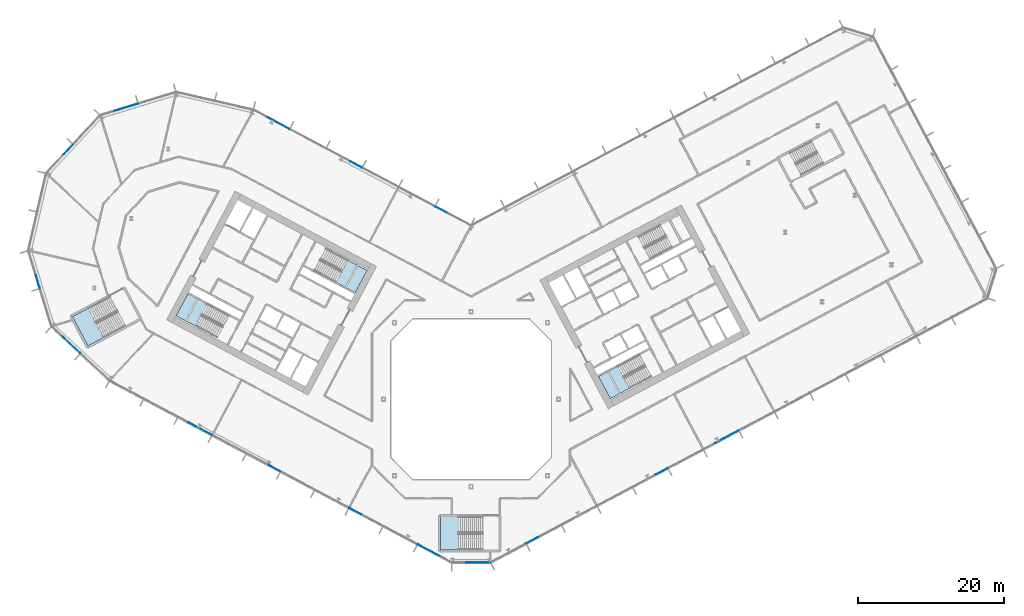
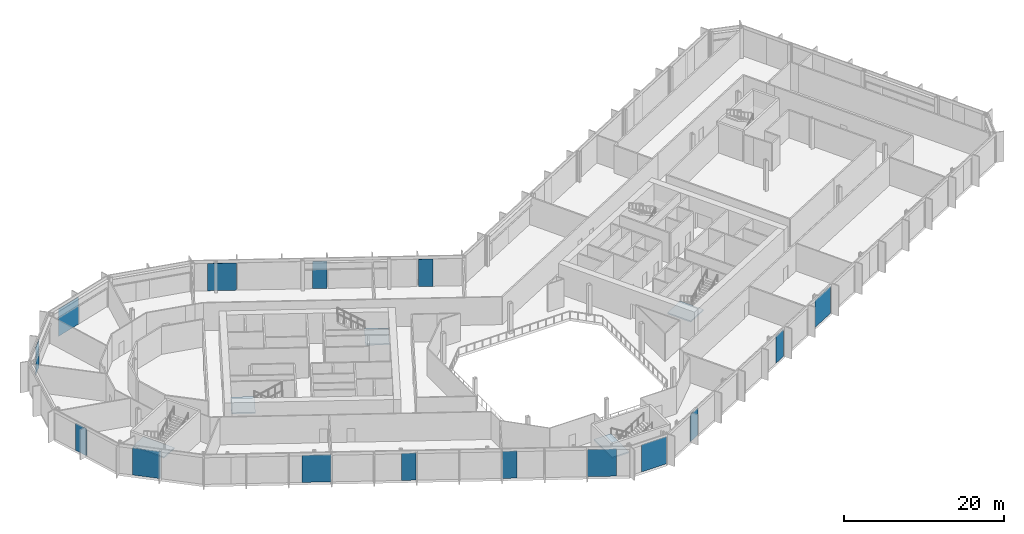
# One storey, part 10 of 30: 15 plates, 5 slabs, 13 elements without a shape of their own.
"""IFC4 building model written with IfcOpenShell, lengths in metres."""

from ifc_helpers import new_model, si_unit, direction, frame, origin, origin_2d, place, context, subcontext, project, spatial, polyline, rectangle, outline, extrude, material, layer, layer_set, type_object, element, aggregate, save


model = new_model("IFC4")

# Units and contexts
model_context = context("Model", 3, precision=1e-05, world=origin(), true_north=direction((0.0, 1.0)))
body_context = subcontext(model_context, "Body", "Model", "MODEL_VIEW")
ifc_project = project(units=[si_unit("LENGTHUNIT", "METRE"), si_unit("AREAUNIT", "SQUARE_METRE"), si_unit("VOLUMEUNIT", "CUBIC_METRE"), si_unit("PLANEANGLEUNIT", "RADIAN"), si_unit("MASSUNIT", "GRAM", prefix="KILO")], contexts=[model_context])

# Site, building, storey
site_placement = place(None, origin())
site = spatial("IfcSite", under=ifc_project, at=site_placement, CompositionType="ELEMENT")
building_placement = place(site_placement, origin())
building = spatial("IfcBuilding", under=site, at=building_placement, Name="Cormorant Relay Tower", CompositionType="ELEMENT")
storey_placement = place(building_placement, frame((0.0, 0.0, 89.199951171875)))
storey = spatial("IfcBuildingStorey", under=building, at=storey_placement, Name="L17", CompositionType="ELEMENT", Elevation=89.199951171875)

# Curtain wall, plates
ifc_material_1 = material(Name="Aluminium 6063-T6 anodised bronze", Category="aluminium")
ifc_layer_1 = layer(ifc_material_1, 0.199951171875)
ifc_layer_set_1 = layer_set([ifc_layer_1], Name="CW1 unitised bronze curtain wall with vertical fins")
curtain_wall_type = type_object("IfcCurtainWallType", Name="CW1 unitised bronze curtain wall with vertical fins", PredefinedType="NOTDEFINED", material=ifc_layer_set_1)
curtain_wall_1_placement = place(storey_placement, origin())
curtain_wall_1 = element("IfcCurtainWall", 1, at=curtain_wall_1_placement, inside=storey, type_object=curtain_wall_type, Name="CW1 curtain wall 2", PredefinedType="NOTDEFINED")
ifc_material_2 = material(Name="Tinted laminated glass", Category="glass")
ifc_layer_2 = layer(ifc_material_2, 0.0400390625)
ifc_layer_set_2 = layer_set([ifc_layer_2], Name="CW1 tinted vision panel 1800 module")
plate_type_1 = type_object("IfcPlateType", Name="CW1 tinted vision panel 1800 module", PredefinedType="CURTAIN_PANEL", material=ifc_layer_set_2)
plate_1_placement = place(storey_placement, frame((8.3857421875, -19.347900390625, 0.0), z_axis=(0.0, 0.0, 1.0), x_axis=(0.882947592859, 0.469471562786, 0.0)))
plate_1 = element("IfcPlate", 2, at=plate_1_placement, type_object=plate_type_1, Name="CW1 panel V01", PredefinedType="CURTAIN_PANEL", context=body_context, shape_type="SweptSolid", body=[
    extrude(rectangle(XDim=1.800048828125, YDim=0.0400390625, at=origin_2d()), origin(), (0.0, 0.0, 1.0), 4.14990234375),
])
plate_2_placement = place(storey_placement, frame((26.130615234375, -9.91259765625, 0.0), z_axis=(0.0, 0.0, 1.0), x_axis=(0.882947592859, 0.469471562786, 0.0)))
plate_2 = element("IfcPlate", 3, at=plate_2_placement, type_object=plate_type_1, Name="CW1 panel V04", PredefinedType="CURTAIN_PANEL", context=body_context, shape_type="SweptSolid", body=[
    extrude(rectangle(XDim=1.800048828125, YDim=0.0400390625, at=origin_2d()), origin(), (0.0, 0.0, 1.0), 4.14990234375),
])

curtain_wall_2_placement = place(storey_placement, origin())
curtain_wall_2 = element("IfcCurtainWall", 4, at=curtain_wall_2_placement, inside=storey, type_object=curtain_wall_type, Name="CW1 curtain wall 7", PredefinedType="NOTDEFINED")
plate_3_placement = place(storey_placement, frame((-4.108642578125, 25.9912109375, 0.0), z_axis=(0.0, 0.0, 1.0), x_axis=(-0.882947592859, 0.469471562786, 0.0)))
plate_3 = element("IfcPlate", 5, at=plate_3_placement, type_object=plate_type_1, Name="CW1 panel V01", PredefinedType="CURTAIN_PANEL", context=body_context, shape_type="SweptSolid", body=[
    extrude(rectangle(XDim=1.800048828125, YDim=0.0400390625, at=origin_2d()), origin(), (0.0, 0.0, 1.0), 4.14990234375),
])
plate_4_placement = place(storey_placement, frame((-15.788330078125, 32.201416015625, 0.0), z_axis=(0.0, 0.0, 1.0), x_axis=(-0.882947592859, 0.469471562786, 0.0)))
plate_4 = element("IfcPlate", 6, at=plate_4_placement, type_object=plate_type_1, Name="CW1 panel V04", PredefinedType="CURTAIN_PANEL", context=body_context, shape_type="SweptSolid", body=[
    extrude(rectangle(XDim=1.800048828125, YDim=0.0400390625, at=origin_2d()), origin(), (0.0, 0.0, 1.0), 4.14990234375),
])

# Curtain wall, plate
curtain_wall_3_placement = place(storey_placement, origin())
curtain_wall_3 = element("IfcCurtainWall", 7, at=curtain_wall_3_placement, inside=storey, type_object=curtain_wall_type, Name="CW1 curtain wall 10", PredefinedType="NOTDEFINED")
plate_5_placement = place(storey_placement, frame((-55.247314453125, 34.2607421875, 0.0), z_axis=(0.0, 0.0, 1.0), x_axis=(-0.681998360062, -0.731353701619, 0.0)))
plate_5 = element("IfcPlate", 8, at=plate_5_placement, type_object=plate_type_1, Name="CW1 panel V01", PredefinedType="CURTAIN_PANEL", context=body_context, shape_type="SweptSolid", body=[
    extrude(rectangle(XDim=1.800048828125, YDim=0.0400390625, at=origin_2d()), origin(), (0.0, 0.0, 1.0), 4.14990234375),
])
aggregate(curtain_wall_3, [plate_5])

curtain_wall_4_placement = place(storey_placement, origin())
curtain_wall_4 = element("IfcCurtainWall", 9, at=curtain_wall_4_placement, inside=storey, type_object=curtain_wall_type, Name="CW1 curtain wall 12", PredefinedType="NOTDEFINED")
plate_6_placement = place(storey_placement, frame((-59.434814453125, 16.122314453125, 0.0), z_axis=(0.0, 0.0, 1.0), x_axis=(0.292371704723, -0.956304755963, 0.0)))
plate_6 = element("IfcPlate", 10, at=plate_6_placement, type_object=plate_type_1, Name="CW1 panel V01", PredefinedType="CURTAIN_PANEL", context=body_context, shape_type="SweptSolid", body=[
    extrude(rectangle(XDim=1.800048828125, YDim=0.0400390625, at=origin_2d()), origin(), (0.0, 0.0, 1.0), 4.14990234375),
])
aggregate(curtain_wall_4, [plate_6])

# Curtain wall, plates
curtain_wall_5_placement = place(storey_placement, origin())
curtain_wall_5 = element("IfcCurtainWall", 11, at=curtain_wall_5_placement, inside=storey, type_object=curtain_wall_type, Name="CW1 curtain wall 14", PredefinedType="NOTDEFINED")
plate_7_placement = place(storey_placement, frame((-26.990478515625, -9.45556640625, 0.0), z_axis=(0.0, 0.0, 1.0), x_axis=(0.882947592859, -0.469471562786, 0.0)))
plate_7 = element("IfcPlate", 12, at=plate_7_placement, type_object=plate_type_1, Name="CW1 panel V05", PredefinedType="CURTAIN_PANEL", context=body_context, shape_type="SweptSolid", body=[
    extrude(rectangle(XDim=1.800048828125, YDim=0.0400390625, at=origin_2d()), origin(), (0.0, 0.0, 1.0), 4.14990234375),
])
plate_8_placement = place(storey_placement, frame((-15.880126953125, -15.363037109375, 0.0), z_axis=(0.0, 0.0, 1.0), x_axis=(0.882947592859, -0.469471562786, 0.0)))
plate_8 = element("IfcPlate", 13, at=plate_8_placement, type_object=plate_type_1, Name="CW1 panel V07", PredefinedType="CURTAIN_PANEL", context=body_context, shape_type="SweptSolid", body=[
    extrude(rectangle(XDim=1.800048828125, YDim=0.0400390625, at=origin_2d()), origin(), (0.0, 0.0, 1.0), 4.14990234375),
])

# Curtain wall, plate
curtain_wall_6_placement = place(storey_placement, origin())
curtain_wall_6 = element("IfcCurtainWall", 14, at=curtain_wall_6_placement, inside=storey, type_object=curtain_wall_type, Name="CW1 curtain wall 1", PredefinedType="NOTDEFINED")
ifc_material_3 = material(Name="Tinted laminated glass", Category="glass")
ifc_layer_3 = layer(ifc_material_3, 0.0400390625)
ifc_layer_set_3 = layer_set([ifc_layer_3], Name="CW1 tinted vision panel 3600 module")
plate_type_2 = type_object("IfcPlateType", Name="CW1 tinted vision panel 3600 module", PredefinedType="CURTAIN_PANEL", material=ifc_layer_set_3)
plate_9_placement = place(storey_placement, frame((0.848876953125, -22.3955078125, 0.0), z_axis=(0.0, 0.0, 1.0), x_axis=(1.0, 0.0, 0.0)))
plate_9 = element("IfcPlate", 15, at=plate_9_placement, type_object=plate_type_2, Name="CW1 panel V01", PredefinedType="CURTAIN_PANEL", context=body_context, shape_type="SweptSolid", body=[
    extrude(rectangle(XDim=3.60009765625, YDim=0.0400390625, at=origin_2d()), origin(), (0.0, 0.0, 1.0), 4.14990234375),
])
aggregate(curtain_wall_6, [plate_9])

# Plate
plate_10_placement = place(storey_placement, frame((35.0693359375, -5.159912109375, 0.0), z_axis=(0.0, 0.0, 1.0), x_axis=(0.882947592859, 0.469471562786, 0.0)))
plate_10 = element("IfcPlate", 16, at=plate_10_placement, type_object=plate_type_2, Name="CW1 panel V06", PredefinedType="CURTAIN_PANEL", context=body_context, shape_type="SweptSolid", body=[
    extrude(rectangle(XDim=3.60009765625, YDim=0.0400390625, at=origin_2d()), origin(), (0.0, 0.0, 1.0), 4.14990234375),
])

aggregate(curtain_wall_1, [plate_1, plate_2, plate_10])

plate_11_placement = place(storey_placement, frame((-26.541015625, 37.918701171875, 0.0), z_axis=(0.0, 0.0, 1.0), x_axis=(-0.882947592859, 0.469471562786, 0.0)))
plate_11 = element("IfcPlate", 17, at=plate_11_placement, type_object=plate_type_2, Name="CW1 panel V06", PredefinedType="CURTAIN_PANEL", context=body_context, shape_type="SweptSolid", body=[
    extrude(rectangle(XDim=3.60009765625, YDim=0.0400390625, at=origin_2d()), origin(), (0.0, 0.0, 1.0), 4.14990234375),
])

aggregate(curtain_wall_2, [plate_3, plate_4, plate_11])

# Curtain wall, plate
curtain_wall_7_placement = place(storey_placement, origin())
curtain_wall_7 = element("IfcCurtainWall", 18, at=curtain_wall_7_placement, inside=storey, type_object=curtain_wall_type, Name="CW1 curtain wall 9", PredefinedType="NOTDEFINED")
plate_12_placement = place(storey_placement, frame((-47.462158203125, 39.995361328125, 0.0), z_axis=(0.0, 0.0, 1.0), x_axis=(-0.956304755963, -0.292371704723, 0.0)))
plate_12 = element("IfcPlate", 19, at=plate_12_placement, type_object=plate_type_2, Name="CW1 panel V01", PredefinedType="CURTAIN_PANEL", context=body_context, shape_type="SweptSolid", body=[
    extrude(rectangle(XDim=3.60009765625, YDim=0.0400390625, at=origin_2d()), origin(), (0.0, 0.0, 1.0), 4.14990234375),
])
aggregate(curtain_wall_7, [plate_12])

curtain_wall_8_placement = place(storey_placement, origin())
curtain_wall_8 = element("IfcCurtainWall", 20, at=curtain_wall_8_placement, inside=storey, type_object=curtain_wall_type, Name="CW1 curtain wall 13", PredefinedType="NOTDEFINED")
plate_13_placement = place(storey_placement, frame((-54.951416015625, 7.55517578125, 0.0), z_axis=(0.0, 0.0, 1.0), x_axis=(0.731353701619, -0.681998360062, 0.0)))
plate_13 = element("IfcPlate", 21, at=plate_13_placement, type_object=plate_type_2, Name="CW1 panel V01", PredefinedType="CURTAIN_PANEL", context=body_context, shape_type="SweptSolid", body=[
    extrude(rectangle(XDim=3.60009765625, YDim=0.0400390625, at=origin_2d()), origin(), (0.0, 0.0, 1.0), 4.14990234375),
])
aggregate(curtain_wall_8, [plate_13])

# Plate
plate_14_placement = place(storey_placement, frame((-37.173583984375, -4.041015625, 0.0), z_axis=(0.0, 0.0, 1.0), x_axis=(0.882947592859, -0.469471562786, 0.0)))
plate_14 = element("IfcPlate", 22, at=plate_14_placement, type_object=plate_type_2, Name="CW1 panel V03", PredefinedType="CURTAIN_PANEL", context=body_context, shape_type="SweptSolid", body=[
    extrude(rectangle(XDim=3.60009765625, YDim=0.0400390625, at=origin_2d()), origin(), (0.0, 0.0, 1.0), 4.14990234375),
])

plate_15_placement = place(storey_placement, frame((-5.697021484375, -20.777587890625, 0.0), z_axis=(0.0, 0.0, 1.0), x_axis=(0.882947592859, -0.469471562786, 0.0)))
plate_15 = element("IfcPlate", 23, at=plate_15_placement, type_object=plate_type_2, Name="CW1 panel V09", PredefinedType="CURTAIN_PANEL", context=body_context, shape_type="SweptSolid", body=[
    extrude(rectangle(XDim=3.60009765625, YDim=0.0400390625, at=origin_2d()), origin(), (0.0, 0.0, 1.0), 4.14990234375),
])

aggregate(curtain_wall_5, [plate_14, plate_7, plate_8, plate_15])

# Stair, slab
ifc_material_4 = material(Name="Concrete 40 MPa", Category="concrete")
stair_type_1 = type_object("IfcStairType", Name="Exit stair 1500", PredefinedType="HALF_TURN_STAIR", material=ifc_material_4)
stair_1_placement = place(storey_placement, origin())
stair_1 = element("IfcStair", 24, at=stair_1_placement, inside=storey, type_object=stair_type_1, Name="L17 Stair", PredefinedType="HALF_TURN_STAIR")
ifc_material_5 = material(Name="Concrete 40 MPa", Category="concrete")
ifc_layer_4 = layer(ifc_material_5, 0.199951171875)
ifc_layer_set_4 = layer_set([ifc_layer_4], Name="Exit stair landing 200")
slab_type = type_object("IfcSlabType", Name="Exit stair landing 200", PredefinedType="LANDING", material=ifc_layer_set_4)
slab_1_placement = place(storey_placement, frame((0.0, 0.0, 2.10009765625)))
slab_1 = element("IfcSlab", 25, at=slab_1_placement, type_object=slab_type, Name="A1 landing 1", PredefinedType="LANDING", context=body_context, shape_type="SweptSolid", body=[
    extrude(outline(polyline([(-18.534912109375, 16.02783203125), (-15.89501953125, 14.6240234375), (-14.275390625, 17.670166015625), (-16.915283203125, 19.073974609375), (-18.534912109375, 16.02783203125)])), origin(), (0.0, 0.0, 1.0), 0.199951171875),
])
aggregate(stair_1, [slab_1])

stair_2_placement = place(storey_placement, origin())
stair_2 = element("IfcStair", 26, at=stair_2_placement, inside=storey, type_object=stair_type_1, Name="L17 Stair", PredefinedType="HALF_TURN_STAIR")
slab_2_placement = place(storey_placement, frame((0.0, 0.0, 2.10009765625)))
slab_2 = element("IfcSlab", 27, at=slab_2_placement, type_object=slab_type, Name="A2 landing 1", PredefinedType="LANDING", context=body_context, shape_type="SweptSolid", body=[
    extrude(outline(polyline([(-36.207763671875, 13.07958984375), (-38.84765625, 14.483154296875), (-40.467529296875, 11.43701171875), (-37.827392578125, 10.033447265625), (-36.207763671875, 13.07958984375)])), origin(), (0.0, 0.0, 1.0), 0.199951171875),
])
aggregate(stair_2, [slab_2])

stair_3_placement = place(storey_placement, origin())
stair_3 = element("IfcStair", 28, at=stair_3_placement, inside=storey, type_object=stair_type_1, Name="L17 Stair", PredefinedType="HALF_TURN_STAIR")
slab_3_placement = place(storey_placement, frame((0.0, 0.0, 2.10009765625)))
slab_3 = element("IfcSlab", 29, at=slab_3_placement, type_object=slab_type, Name="B1 landing 1", PredefinedType="LANDING", context=body_context, shape_type="SweptSolid", body=[
    extrude(outline(polyline([(20.120361328125, 4.525634765625), (17.48046875, 3.1220703125), (19.10009765625, 0.075927734375), (21.740234375, 1.4794921875), (20.120361328125, 4.525634765625)])), origin(), (0.0, 0.0, 1.0), 0.199951171875),
])
aggregate(stair_3, [slab_3])

ifc_material_6 = material(Name="Concrete 40 MPa", Category="concrete")
stair_type_2 = type_object("IfcStairType", Name="Remote exit stair 2200", PredefinedType="HALF_TURN_STAIR", material=ifc_material_6)
stair_4_placement = place(storey_placement, origin())
stair_4 = element("IfcStair", 30, at=stair_4_placement, inside=storey, type_object=stair_type_2, Name="L17 Stair", PredefinedType="HALF_TURN_STAIR")
slab_4_placement = place(storey_placement, frame((0.0, 0.0, 2.10009765625)))
slab_4 = element("IfcSlab", 31, at=slab_4_placement, type_object=slab_type, Name="RK1 landing 1", PredefinedType="LANDING", context=body_context, shape_type="SweptSolid", body=[
    extrude(outline(polyline([(-1.760009765625, -16.125), (-4.199951171875, -16.125), (-4.199951171875, -20.675048828125), (-1.760009765625, -20.675048828125), (-1.760009765625, -16.125)])), origin(), (0.0, 0.0, 1.0), 0.199951171875),
])
aggregate(stair_4, [slab_4])

stair_5_placement = place(storey_placement, origin())
stair_5 = element("IfcStair", 32, at=stair_5_placement, inside=storey, type_object=stair_type_2, Name="L17 Stair", PredefinedType="HALF_TURN_STAIR")
slab_5_placement = place(storey_placement, frame((0.0, 0.0, 2.10009765625)))
slab_5 = element("IfcSlab", 33, at=slab_5_placement, type_object=slab_type, Name="RP1 landing 1", PredefinedType="LANDING", context=body_context, shape_type="SweptSolid", body=[
    extrude(outline(polyline([(-52.54541015625, 12.476318359375), (-54.699951171875, 11.330810546875), (-52.563720703125, 7.3134765625), (-50.409423828125, 8.458984375), (-52.54541015625, 12.476318359375)])), origin(), (0.0, 0.0, 1.0), 0.199951171875),
])
aggregate(stair_5, [slab_5])

save(model, "model.ifc")
